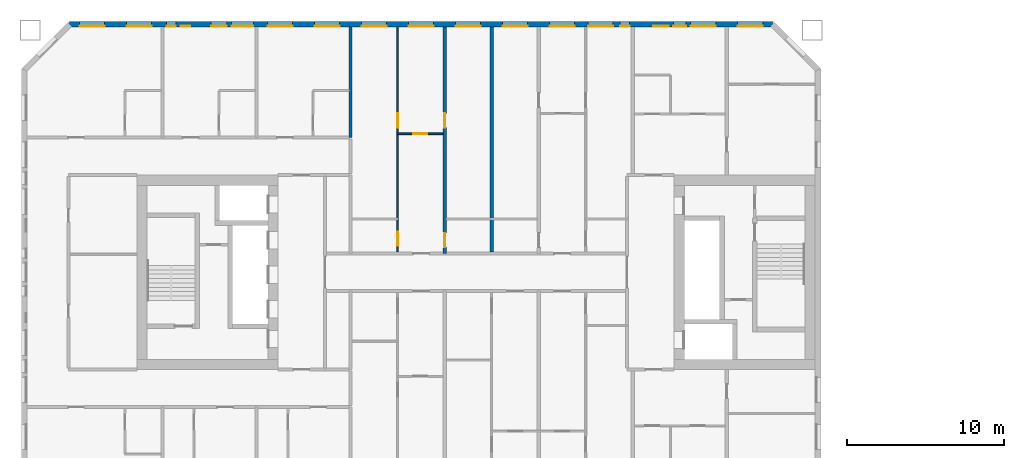
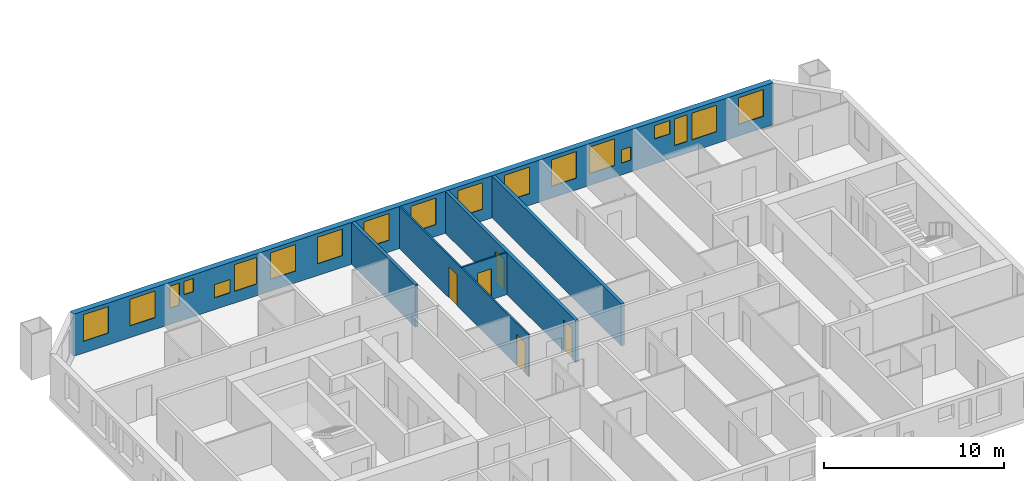
# One storey, part 6 of 17: 19 windows, 6 walls, 5 doors, 24 openings.
"""IFC4 building model written with IfcOpenShell, lengths in metres."""

from ifc_helpers import new_model, si_unit, direction, frame, frame_2d, origin, place, context, subcontext, project, spatial, rectangle, extrude, material, layer, layer_set, type_object, element, fill, save


model = new_model("IFC4")

# Units and contexts
model_context = context("Model", 3, precision=1e-05, world=origin(), true_north=direction((0.0, 1.0)))
body_context = subcontext(model_context, "Body", "Model", "MODEL_VIEW")
ifc_project = project(units=[si_unit("LENGTHUNIT", "METRE"), si_unit("AREAUNIT", "SQUARE_METRE"), si_unit("VOLUMEUNIT", "CUBIC_METRE"), si_unit("PLANEANGLEUNIT", "RADIAN"), si_unit("MASSUNIT", "GRAM", prefix="KILO")], contexts=[model_context])

# Site, building, storey
site_placement = place(None, origin())
site = spatial("IfcSite", under=ifc_project, at=site_placement, CompositionType="ELEMENT")
building_placement = place(site_placement, origin())
building = spatial("IfcBuilding", under=site, at=building_placement, Name="Tuart Gate Housing", CompositionType="ELEMENT")
storey_placement = place(building_placement, frame((0.0, 0.0, 102.60009765625)))
storey = spatial("IfcBuildingStorey", under=building, at=storey_placement, Name="L28", CompositionType="ELEMENT", Elevation=102.60009765625)

# Wall, openings, windows
ifc_material_1 = material(Name="Brick", Category="masonry")
ifc_layer_1 = layer(ifc_material_1, 0.360107421875)
ifc_layer_set_1 = layer_set([ifc_layer_1], Name="Brick pier and spandrel wall 360")
wall_type_1 = type_object("IfcWallType", Name="Brick pier and spandrel wall 360", PredefinedType="STANDARD", material=ifc_layer_set_1)
wall_1_placement = place(storey_placement, frame((72.92529296875, 85.820068359375, 0.0), z_axis=(0.0, 0.0, 1.0), x_axis=(-1.0, 0.0, 0.0)))
wall_1 = element("IfcWall", 1, at=wall_1_placement, inside=storey, type_object=wall_type_1, Name="External wall A-N L28", PredefinedType="STANDARD", context=body_context, shape_type="SweptSolid", body=[
    extrude(rectangle(XDim=44.850830078125, YDim=0.360107421875, at=frame_2d((22.42529296875, 0.0))), origin(), (0.0, 0.0, 1.0), 2.849853515625),
])
opening_1_placement = place(wall_1_placement, frame((0.62548828125, 0.0, 0.800048828125)))
opening_1 = element("IfcOpeningElement", 2, at=opening_1_placement, cuts=wall_1, Name="Opening W1", PredefinedType="OPENING", context=body_context, shape_type="SweptSolid", body=[
    extrude(rectangle(XDim=1.60009765625, YDim=1.800048828125, at=frame_2d((0.800048828125, 0.89990234375))), frame((0.0, 0.18994140625, 0.0), z_axis=(0.0, -1.0, 0.0), x_axis=(1.0, 0.0, 0.0)), (0.0, 0.0, 1.0), 0.380126953125),
])
opening_2_placement = place(wall_1_placement, frame((3.62548828125, 0.0, 0.800048828125)))
opening_2 = element("IfcOpeningElement", 3, at=opening_2_placement, cuts=wall_1, Name="Opening W1", PredefinedType="OPENING", context=body_context, shape_type="SweptSolid", body=[
    extrude(rectangle(XDim=1.60009765625, YDim=1.800048828125, at=frame_2d((0.800048828125, 0.89990234375))), frame((0.0, 0.18994140625, 0.0), z_axis=(0.0, -1.0, 0.0), x_axis=(1.0, 0.0, 0.0)), (0.0, 0.0, 1.0), 0.380126953125),
])
opening_3_placement = place(wall_1_placement, frame((5.525390625, 0.0, 0.800048828125)))
opening_3 = element("IfcOpeningElement", 4, at=opening_3_placement, cuts=wall_1, Name="Opening W1D", PredefinedType="OPENING", context=body_context, shape_type="SweptSolid", body=[
    extrude(rectangle(XDim=0.800048828125, YDim=1.800048828125, at=frame_2d((0.39990234375, 0.89990234375))), frame((0.0, 0.18994140625, 0.0), z_axis=(0.0, -1.0, 0.0), x_axis=(1.0, 0.0, 0.0)), (0.0, 0.0, 1.0), 0.380126953125),
])
opening_4_placement = place(wall_1_placement, frame((9.12548828125, 0.0, 0.800048828125)))
opening_4 = element("IfcOpeningElement", 5, at=opening_4_placement, cuts=wall_1, Name="Opening W1W", PredefinedType="OPENING", context=body_context, shape_type="SweptSolid", body=[
    extrude(rectangle(XDim=0.60009765625, YDim=0.89990234375, at=frame_2d((0.300048828125, 0.449951171875))), frame((0.0, 0.18994140625, 0.0), z_axis=(0.0, -1.0, 0.0), x_axis=(1.0, 0.0, 0.0)), (0.0, 0.0, 1.0), 0.380126953125),
])
opening_5_placement = place(wall_1_placement, frame((12.62548828125, 0.0, 0.800048828125)))
opening_5 = element("IfcOpeningElement", 6, at=opening_5_placement, cuts=wall_1, Name="Opening W1", PredefinedType="OPENING", context=body_context, shape_type="SweptSolid", body=[
    extrude(rectangle(XDim=1.60009765625, YDim=1.800048828125, at=frame_2d((0.800048828125, 0.89990234375))), frame((0.0, 0.18994140625, 0.0), z_axis=(0.0, -1.0, 0.0), x_axis=(1.0, 0.0, 0.0)), (0.0, 0.0, 1.0), 0.380126953125),
])
opening_6_placement = place(wall_1_placement, frame((15.62548828125, 0.0, 0.800048828125)))
opening_6 = element("IfcOpeningElement", 7, at=opening_6_placement, cuts=wall_1, Name="Opening W1", PredefinedType="OPENING", context=body_context, shape_type="SweptSolid", body=[
    extrude(rectangle(XDim=1.60009765625, YDim=1.800048828125, at=frame_2d((0.800048828125, 0.89990234375))), frame((0.0, 0.18994140625, 0.0), z_axis=(0.0, -1.0, 0.0), x_axis=(1.0, 0.0, 0.0)), (0.0, 0.0, 1.0), 0.380126953125),
])
opening_7_placement = place(wall_1_placement, frame((18.62548828125, 0.0, 0.800048828125)))
opening_7 = element("IfcOpeningElement", 8, at=opening_7_placement, cuts=wall_1, Name="Opening W1", PredefinedType="OPENING", context=body_context, shape_type="SweptSolid", body=[
    extrude(rectangle(XDim=1.60009765625, YDim=1.800048828125, at=frame_2d((0.800048828125, 0.89990234375))), frame((0.0, 0.18994140625, 0.0), z_axis=(0.0, -1.0, 0.0), x_axis=(1.0, 0.0, 0.0)), (0.0, 0.0, 1.0), 0.380126953125),
])
opening_8_placement = place(wall_1_placement, frame((21.62548828125, 0.0, 0.800048828125)))
opening_8 = element("IfcOpeningElement", 9, at=opening_8_placement, cuts=wall_1, Name="Opening W1", PredefinedType="OPENING", context=body_context, shape_type="SweptSolid", body=[
    extrude(rectangle(XDim=1.60009765625, YDim=1.800048828125, at=frame_2d((0.800048828125, 0.89990234375))), frame((0.0, 0.18994140625, 0.0), z_axis=(0.0, -1.0, 0.0), x_axis=(1.0, 0.0, 0.0)), (0.0, 0.0, 1.0), 0.380126953125),
])
opening_9_placement = place(wall_1_placement, frame((24.62548828125, 0.0, 0.800048828125)))
opening_9 = element("IfcOpeningElement", 10, at=opening_9_placement, cuts=wall_1, Name="Opening W1", PredefinedType="OPENING", context=body_context, shape_type="SweptSolid", body=[
    extrude(rectangle(XDim=1.60009765625, YDim=1.800048828125, at=frame_2d((0.800048828125, 0.89990234375))), frame((0.0, 0.18994140625, 0.0), z_axis=(0.0, -1.0, 0.0), x_axis=(1.0, 0.0, 0.0)), (0.0, 0.0, 1.0), 0.380126953125),
])
opening_10_placement = place(wall_1_placement, frame((27.62548828125, 0.0, 0.800048828125)))
opening_10 = element("IfcOpeningElement", 11, at=opening_10_placement, cuts=wall_1, Name="Opening W1", PredefinedType="OPENING", context=body_context, shape_type="SweptSolid", body=[
    extrude(rectangle(XDim=1.60009765625, YDim=1.800048828125, at=frame_2d((0.800048828125, 0.89990234375))), frame((0.0, 0.18994140625, 0.0), z_axis=(0.0, -1.0, 0.0), x_axis=(1.0, 0.0, 0.0)), (0.0, 0.0, 1.0), 0.380126953125),
])
opening_11_placement = place(wall_1_placement, frame((30.62548828125, 0.0, 0.800048828125)))
opening_11 = element("IfcOpeningElement", 12, at=opening_11_placement, cuts=wall_1, Name="Opening W1", PredefinedType="OPENING", context=body_context, shape_type="SweptSolid", body=[
    extrude(rectangle(XDim=1.60009765625, YDim=1.800048828125, at=frame_2d((0.800048828125, 0.89990234375))), frame((0.0, 0.18994140625, 0.0), z_axis=(0.0, -1.0, 0.0), x_axis=(1.0, 0.0, 0.0)), (0.0, 0.0, 1.0), 0.380126953125),
])
opening_12_placement = place(wall_1_placement, frame((33.12548828125, 0.0, 0.800048828125)))
opening_12 = element("IfcOpeningElement", 13, at=opening_12_placement, cuts=wall_1, Name="Opening W1A", PredefinedType="OPENING", context=body_context, shape_type="SweptSolid", body=[
    extrude(rectangle(XDim=1.39990234375, YDim=1.800048828125, at=frame_2d((0.699951171875, 0.89990234375))), frame((0.0, 0.18994140625, 0.0), z_axis=(0.0, -1.0, 0.0), x_axis=(1.0, 0.0, 0.0)), (0.0, 0.0, 1.0), 0.380126953125),
])
opening_13_placement = place(wall_1_placement, frame((34.825439453125, 0.0, 0.800048828125)))
opening_13 = element("IfcOpeningElement", 14, at=opening_13_placement, cuts=wall_1, Name="Opening W1U", PredefinedType="OPENING", context=body_context, shape_type="SweptSolid", body=[
    extrude(rectangle(XDim=1.0, YDim=0.89990234375, at=frame_2d((0.5, 0.449951171875))), frame((0.0, 0.18994140625, 0.0), z_axis=(0.0, -1.0, 0.0), x_axis=(1.0, 0.0, 0.0)), (0.0, 0.0, 1.0), 0.380126953125),
])
opening_14_placement = place(wall_1_placement, frame((39.62548828125, 0.0, 0.800048828125)))
opening_14 = element("IfcOpeningElement", 15, at=opening_14_placement, cuts=wall_1, Name="Opening W1", PredefinedType="OPENING", context=body_context, shape_type="SweptSolid", body=[
    extrude(rectangle(XDim=1.60009765625, YDim=1.800048828125, at=frame_2d((0.800048828125, 0.89990234375))), frame((0.0, 0.18994140625, 0.0), z_axis=(0.0, -1.0, 0.0), x_axis=(1.0, 0.0, 0.0)), (0.0, 0.0, 1.0), 0.380126953125),
])
opening_15_placement = place(wall_1_placement, frame((42.62548828125, 0.0, 0.800048828125)))
opening_15 = element("IfcOpeningElement", 16, at=opening_15_placement, cuts=wall_1, Name="Opening W1", PredefinedType="OPENING", context=body_context, shape_type="SweptSolid", body=[
    extrude(rectangle(XDim=1.60009765625, YDim=1.800048828125, at=frame_2d((0.800048828125, 0.89990234375))), frame((0.0, 0.18994140625, 0.0), z_axis=(0.0, -1.0, 0.0), x_axis=(1.0, 0.0, 0.0)), (0.0, 0.0, 1.0), 0.380126953125),
])
opening_16_placement = place(wall_1_placement, frame((6.62548828125, 0.0, 1.699951171875)))
opening_16 = element("IfcOpeningElement", 17, at=opening_16_placement, cuts=wall_1, Name="Opening W1U", PredefinedType="OPENING", context=body_context, shape_type="SweptSolid", body=[
    extrude(rectangle(XDim=1.0, YDim=0.89990234375, at=frame_2d((0.5, 0.449951171875))), frame((0.0, 0.18994140625, 0.0), z_axis=(0.0, -1.0, 0.0), x_axis=(1.0, 0.0, 0.0)), (0.0, 0.0, 1.0), 0.380126953125),
])
opening_17_placement = place(wall_1_placement, frame((10.17529296875, 0.0, 0.800048828125)))
opening_17 = element("IfcOpeningElement", 18, at=opening_17_placement, cuts=wall_1, Name="Opening W1", PredefinedType="OPENING", context=body_context, shape_type="SweptSolid", body=[
    extrude(rectangle(XDim=1.60009765625, YDim=1.800048828125, at=frame_2d((0.800048828125, 0.89990234375))), frame((0.0, 0.18994140625, 0.0), z_axis=(0.0, -1.0, 0.0), x_axis=(1.0, 0.0, 0.0)), (0.0, 0.0, 1.0), 0.380126953125),
])
opening_18_placement = place(wall_1_placement, frame((37.17529296875, 0.0, 1.699951171875)))
opening_18 = element("IfcOpeningElement", 19, at=opening_18_placement, cuts=wall_1, Name="Opening W1W", PredefinedType="OPENING", context=body_context, shape_type="SweptSolid", body=[
    extrude(rectangle(XDim=0.60009765625, YDim=0.89990234375, at=frame_2d((0.300048828125, 0.449951171875))), frame((0.0, 0.18994140625, 0.0), z_axis=(0.0, -1.0, 0.0), x_axis=(1.0, 0.0, 0.0)), (0.0, 0.0, 1.0), 0.380126953125),
])
opening_19_placement = place(wall_1_placement, frame((38.075439453125, 0.0, 1.10009765625)))
opening_19 = element("IfcOpeningElement", 20, at=opening_19_placement, cuts=wall_1, Name="Opening W1K", PredefinedType="OPENING", context=body_context, shape_type="SweptSolid", body=[
    extrude(rectangle(XDim=0.60009765625, YDim=1.5, at=frame_2d((0.300048828125, 0.75))), frame((0.0, 0.18994140625, 0.0), z_axis=(0.0, -1.0, 0.0), x_axis=(1.0, 0.0, 0.0)), (0.0, 0.0, 1.0), 0.380126953125),
])
ifc_material_2 = material(Name="Aluminium frame with clear glass", Category="aluminium")
window_type_1 = type_object("IfcWindowType", Name="Punched window 1000 x 900", PartitioningType="SINGLE_PANEL", PredefinedType="WINDOW", material=ifc_material_2)
window_1_placement = place(opening_13_placement, origin())
window_1 = element("IfcWindow", 21, at=window_1_placement, inside=storey, type_object=window_type_1, Name="Window W1U", OverallHeight=0.89990234375, OverallWidth=1.0, PartitioningType="SINGLE_PANEL", PredefinedType="WINDOW", context=body_context, shape_type="SweptSolid", body=[
    extrude(rectangle(XDim=1.0, YDim=0.89990234375, at=frame_2d((0.5, 0.449951171875))), frame((0.0, 0.150146484375, 0.0), z_axis=(0.0, -1.0, 0.0), x_axis=(1.0, 0.0, 0.0)), (0.0, 0.0, 1.0), 0.06005859375),
])
fill(opening_13, window_1)
window_2_placement = place(opening_16_placement, origin())
window_2 = element("IfcWindow", 22, at=window_2_placement, inside=storey, type_object=window_type_1, Name="Window W1U", OverallHeight=0.89990234375, OverallWidth=1.0, PartitioningType="SINGLE_PANEL", PredefinedType="WINDOW", context=body_context, shape_type="SweptSolid", body=[
    extrude(rectangle(XDim=1.0, YDim=0.89990234375, at=frame_2d((0.5, 0.449951171875))), frame((0.0, 0.150146484375, 0.0), z_axis=(0.0, -1.0, 0.0), x_axis=(1.0, 0.0, 0.0)), (0.0, 0.0, 1.0), 0.06005859375),
])
fill(opening_16, window_2)
ifc_material_3 = material(Name="Aluminium frame with clear glass", Category="aluminium")
window_type_2 = type_object("IfcWindowType", Name="Punched window 1400 x 1800", PartitioningType="SINGLE_PANEL", PredefinedType="WINDOW", material=ifc_material_3)
window_3_placement = place(opening_12_placement, origin())
window_3 = element("IfcWindow", 23, at=window_3_placement, inside=storey, type_object=window_type_2, Name="Window W1A", OverallHeight=1.800048828125, OverallWidth=1.39990234375, PartitioningType="SINGLE_PANEL", PredefinedType="WINDOW", context=body_context, shape_type="SweptSolid", body=[
    extrude(rectangle(XDim=1.39990234375, YDim=1.800048828125, at=frame_2d((0.699951171875, 0.89990234375))), frame((0.0, 0.150146484375, 0.0), z_axis=(0.0, -1.0, 0.0), x_axis=(1.0, 0.0, 0.0)), (0.0, 0.0, 1.0), 0.06005859375),
])
fill(opening_12, window_3)
ifc_material_4 = material(Name="Aluminium frame with clear glass", Category="aluminium")
window_type_3 = type_object("IfcWindowType", Name="Punched window 1600 x 1800", PartitioningType="SINGLE_PANEL", PredefinedType="WINDOW", material=ifc_material_4)
window_4_placement = place(opening_1_placement, origin())
window_4 = element("IfcWindow", 24, at=window_4_placement, inside=storey, type_object=window_type_3, Name="Window W1", OverallHeight=1.800048828125, OverallWidth=1.60009765625, PartitioningType="SINGLE_PANEL", PredefinedType="WINDOW", context=body_context, shape_type="SweptSolid", body=[
    extrude(rectangle(XDim=1.60009765625, YDim=1.800048828125, at=frame_2d((0.800048828125, 0.89990234375))), frame((0.0, 0.150146484375, 0.0), z_axis=(0.0, -1.0, 0.0), x_axis=(1.0, 0.0, 0.0)), (0.0, 0.0, 1.0), 0.06005859375),
])
fill(opening_1, window_4)
window_5_placement = place(opening_2_placement, origin())
window_5 = element("IfcWindow", 25, at=window_5_placement, inside=storey, type_object=window_type_3, Name="Window W1", OverallHeight=1.800048828125, OverallWidth=1.60009765625, PartitioningType="SINGLE_PANEL", PredefinedType="WINDOW", context=body_context, shape_type="SweptSolid", body=[
    extrude(rectangle(XDim=1.60009765625, YDim=1.800048828125, at=frame_2d((0.800048828125, 0.89990234375))), frame((0.0, 0.150146484375, 0.0), z_axis=(0.0, -1.0, 0.0), x_axis=(1.0, 0.0, 0.0)), (0.0, 0.0, 1.0), 0.06005859375),
])
fill(opening_2, window_5)
window_6_placement = place(opening_5_placement, origin())
window_6 = element("IfcWindow", 26, at=window_6_placement, inside=storey, type_object=window_type_3, Name="Window W1", OverallHeight=1.800048828125, OverallWidth=1.60009765625, PartitioningType="SINGLE_PANEL", PredefinedType="WINDOW", context=body_context, shape_type="SweptSolid", body=[
    extrude(rectangle(XDim=1.60009765625, YDim=1.800048828125, at=frame_2d((0.800048828125, 0.89990234375))), frame((0.0, 0.150146484375, 0.0), z_axis=(0.0, -1.0, 0.0), x_axis=(1.0, 0.0, 0.0)), (0.0, 0.0, 1.0), 0.06005859375),
])
fill(opening_5, window_6)
window_7_placement = place(opening_6_placement, origin())
window_7 = element("IfcWindow", 27, at=window_7_placement, inside=storey, type_object=window_type_3, Name="Window W1", OverallHeight=1.800048828125, OverallWidth=1.60009765625, PartitioningType="SINGLE_PANEL", PredefinedType="WINDOW", context=body_context, shape_type="SweptSolid", body=[
    extrude(rectangle(XDim=1.60009765625, YDim=1.800048828125, at=frame_2d((0.800048828125, 0.89990234375))), frame((0.0, 0.150146484375, 0.0), z_axis=(0.0, -1.0, 0.0), x_axis=(1.0, 0.0, 0.0)), (0.0, 0.0, 1.0), 0.06005859375),
])
fill(opening_6, window_7)
window_8_placement = place(opening_7_placement, origin())
window_8 = element("IfcWindow", 28, at=window_8_placement, inside=storey, type_object=window_type_3, Name="Window W1", OverallHeight=1.800048828125, OverallWidth=1.60009765625, PartitioningType="SINGLE_PANEL", PredefinedType="WINDOW", context=body_context, shape_type="SweptSolid", body=[
    extrude(rectangle(XDim=1.60009765625, YDim=1.800048828125, at=frame_2d((0.800048828125, 0.89990234375))), frame((0.0, 0.150146484375, 0.0), z_axis=(0.0, -1.0, 0.0), x_axis=(1.0, 0.0, 0.0)), (0.0, 0.0, 1.0), 0.06005859375),
])
fill(opening_7, window_8)
window_9_placement = place(opening_8_placement, origin())
window_9 = element("IfcWindow", 29, at=window_9_placement, inside=storey, type_object=window_type_3, Name="Window W1", OverallHeight=1.800048828125, OverallWidth=1.60009765625, PartitioningType="SINGLE_PANEL", PredefinedType="WINDOW", context=body_context, shape_type="SweptSolid", body=[
    extrude(rectangle(XDim=1.60009765625, YDim=1.800048828125, at=frame_2d((0.800048828125, 0.89990234375))), frame((0.0, 0.150146484375, 0.0), z_axis=(0.0, -1.0, 0.0), x_axis=(1.0, 0.0, 0.0)), (0.0, 0.0, 1.0), 0.06005859375),
])
fill(opening_8, window_9)
window_10_placement = place(opening_9_placement, origin())
window_10 = element("IfcWindow", 30, at=window_10_placement, inside=storey, type_object=window_type_3, Name="Window W1", OverallHeight=1.800048828125, OverallWidth=1.60009765625, PartitioningType="SINGLE_PANEL", PredefinedType="WINDOW", context=body_context, shape_type="SweptSolid", body=[
    extrude(rectangle(XDim=1.60009765625, YDim=1.800048828125, at=frame_2d((0.800048828125, 0.89990234375))), frame((0.0, 0.150146484375, 0.0), z_axis=(0.0, -1.0, 0.0), x_axis=(1.0, 0.0, 0.0)), (0.0, 0.0, 1.0), 0.06005859375),
])
fill(opening_9, window_10)
window_11_placement = place(opening_10_placement, origin())
window_11 = element("IfcWindow", 31, at=window_11_placement, inside=storey, type_object=window_type_3, Name="Window W1", OverallHeight=1.800048828125, OverallWidth=1.60009765625, PartitioningType="SINGLE_PANEL", PredefinedType="WINDOW", context=body_context, shape_type="SweptSolid", body=[
    extrude(rectangle(XDim=1.60009765625, YDim=1.800048828125, at=frame_2d((0.800048828125, 0.89990234375))), frame((0.0, 0.150146484375, 0.0), z_axis=(0.0, -1.0, 0.0), x_axis=(1.0, 0.0, 0.0)), (0.0, 0.0, 1.0), 0.06005859375),
])
fill(opening_10, window_11)
window_12_placement = place(opening_11_placement, origin())
window_12 = element("IfcWindow", 32, at=window_12_placement, inside=storey, type_object=window_type_3, Name="Window W1", OverallHeight=1.800048828125, OverallWidth=1.60009765625, PartitioningType="SINGLE_PANEL", PredefinedType="WINDOW", context=body_context, shape_type="SweptSolid", body=[
    extrude(rectangle(XDim=1.60009765625, YDim=1.800048828125, at=frame_2d((0.800048828125, 0.89990234375))), frame((0.0, 0.150146484375, 0.0), z_axis=(0.0, -1.0, 0.0), x_axis=(1.0, 0.0, 0.0)), (0.0, 0.0, 1.0), 0.06005859375),
])
fill(opening_11, window_12)
window_13_placement = place(opening_14_placement, origin())
window_13 = element("IfcWindow", 33, at=window_13_placement, inside=storey, type_object=window_type_3, Name="Window W1", OverallHeight=1.800048828125, OverallWidth=1.60009765625, PartitioningType="SINGLE_PANEL", PredefinedType="WINDOW", context=body_context, shape_type="SweptSolid", body=[
    extrude(rectangle(XDim=1.60009765625, YDim=1.800048828125, at=frame_2d((0.800048828125, 0.89990234375))), frame((0.0, 0.150146484375, 0.0), z_axis=(0.0, -1.0, 0.0), x_axis=(1.0, 0.0, 0.0)), (0.0, 0.0, 1.0), 0.06005859375),
])
fill(opening_14, window_13)
window_14_placement = place(opening_15_placement, origin())
window_14 = element("IfcWindow", 34, at=window_14_placement, inside=storey, type_object=window_type_3, Name="Window W1", OverallHeight=1.800048828125, OverallWidth=1.60009765625, PartitioningType="SINGLE_PANEL", PredefinedType="WINDOW", context=body_context, shape_type="SweptSolid", body=[
    extrude(rectangle(XDim=1.60009765625, YDim=1.800048828125, at=frame_2d((0.800048828125, 0.89990234375))), frame((0.0, 0.150146484375, 0.0), z_axis=(0.0, -1.0, 0.0), x_axis=(1.0, 0.0, 0.0)), (0.0, 0.0, 1.0), 0.06005859375),
])
fill(opening_15, window_14)
window_15_placement = place(opening_17_placement, origin())
window_15 = element("IfcWindow", 35, at=window_15_placement, inside=storey, type_object=window_type_3, Name="Window W1", OverallHeight=1.800048828125, OverallWidth=1.60009765625, PartitioningType="SINGLE_PANEL", PredefinedType="WINDOW", context=body_context, shape_type="SweptSolid", body=[
    extrude(rectangle(XDim=1.60009765625, YDim=1.800048828125, at=frame_2d((0.800048828125, 0.89990234375))), frame((0.0, 0.150146484375, 0.0), z_axis=(0.0, -1.0, 0.0), x_axis=(1.0, 0.0, 0.0)), (0.0, 0.0, 1.0), 0.06005859375),
])
fill(opening_17, window_15)
ifc_material_5 = material(Name="Aluminium frame with clear glass", Category="aluminium")
window_type_4 = type_object("IfcWindowType", Name="Punched window 600 x 1500", PartitioningType="SINGLE_PANEL", PredefinedType="WINDOW", material=ifc_material_5)
window_16_placement = place(opening_19_placement, origin())
window_16 = element("IfcWindow", 36, at=window_16_placement, inside=storey, type_object=window_type_4, Name="Window W1K", OverallHeight=1.5, OverallWidth=0.60009765625, PartitioningType="SINGLE_PANEL", PredefinedType="WINDOW", context=body_context, shape_type="SweptSolid", body=[
    extrude(rectangle(XDim=0.60009765625, YDim=1.5, at=frame_2d((0.300048828125, 0.75))), frame((0.0, 0.150146484375, 0.0), z_axis=(0.0, -1.0, 0.0), x_axis=(1.0, 0.0, 0.0)), (0.0, 0.0, 1.0), 0.06005859375),
])
fill(opening_19, window_16)
ifc_material_6 = material(Name="Aluminium frame with clear glass", Category="aluminium")
window_type_5 = type_object("IfcWindowType", Name="Punched window 600 x 900", PartitioningType="SINGLE_PANEL", PredefinedType="WINDOW", material=ifc_material_6)
window_17_placement = place(opening_4_placement, origin())
window_17 = element("IfcWindow", 37, at=window_17_placement, inside=storey, type_object=window_type_5, Name="Window W1W", OverallHeight=0.89990234375, OverallWidth=0.60009765625, PartitioningType="SINGLE_PANEL", PredefinedType="WINDOW", context=body_context, shape_type="SweptSolid", body=[
    extrude(rectangle(XDim=0.60009765625, YDim=0.89990234375, at=frame_2d((0.300048828125, 0.449951171875))), frame((0.0, 0.150146484375, 0.0), z_axis=(0.0, -1.0, 0.0), x_axis=(1.0, 0.0, 0.0)), (0.0, 0.0, 1.0), 0.06005859375),
])
fill(opening_4, window_17)
window_18_placement = place(opening_18_placement, origin())
window_18 = element("IfcWindow", 38, at=window_18_placement, inside=storey, type_object=window_type_5, Name="Window W1W", OverallHeight=0.89990234375, OverallWidth=0.60009765625, PartitioningType="SINGLE_PANEL", PredefinedType="WINDOW", context=body_context, shape_type="SweptSolid", body=[
    extrude(rectangle(XDim=0.60009765625, YDim=0.89990234375, at=frame_2d((0.300048828125, 0.449951171875))), frame((0.0, 0.150146484375, 0.0), z_axis=(0.0, -1.0, 0.0), x_axis=(1.0, 0.0, 0.0)), (0.0, 0.0, 1.0), 0.06005859375),
])
fill(opening_18, window_18)
ifc_material_7 = material(Name="Aluminium frame with clear glass", Category="aluminium")
window_type_6 = type_object("IfcWindowType", Name="Punched window 800 x 1800", PartitioningType="SINGLE_PANEL", PredefinedType="WINDOW", material=ifc_material_7)
window_19_placement = place(opening_3_placement, origin())
window_19 = element("IfcWindow", 39, at=window_19_placement, inside=storey, type_object=window_type_6, Name="Window W1D", OverallHeight=1.800048828125, OverallWidth=0.800048828125, PartitioningType="SINGLE_PANEL", PredefinedType="WINDOW", context=body_context, shape_type="SweptSolid", body=[
    extrude(rectangle(XDim=0.800048828125, YDim=1.800048828125, at=frame_2d((0.39990234375, 0.89990234375))), frame((0.0, 0.150146484375, 0.0), z_axis=(0.0, -1.0, 0.0), x_axis=(1.0, 0.0, 0.0)), (0.0, 0.0, 1.0), 0.06005859375),
])
fill(opening_3, window_19)

# Wall, opening, door
ifc_material_8 = material(Name="Gypsum board on steel studs", Category="steel")
ifc_layer_2 = layer(ifc_material_8, 0.10009765625)
ifc_layer_set_2 = layer_set([ifc_layer_2], Name="Partition 100")
wall_type_2 = type_object("IfcWallType", Name="Partition 100", PredefinedType="PARTITIONING", material=ifc_layer_set_2)
wall_2_placement = place(storey_placement, frame((49.0, 78.840087890625, 0.0), z_axis=(0.0, 0.0, 1.0), x_axis=(1.0, 0.0, 0.0)))
wall_2 = element("IfcWall", 40, at=wall_2_placement, inside=storey, type_object=wall_type_2, Name="Partition 100", PredefinedType="PARTITIONING", context=body_context, shape_type="SweptSolid", body=[
    extrude(rectangle(XDim=2.89990234375, YDim=0.10009765625, at=frame_2d((1.449951171875, 0.0))), origin(), (0.0, 0.0, 1.0), 2.849853515625),
])
opening_20_placement = place(wall_2_placement, frame((1.0, 0.0, 0.0)))
opening_20 = element("IfcOpeningElement", 41, at=opening_20_placement, cuts=wall_2, Name="Opening D1074", PredefinedType="OPENING", context=body_context, shape_type="SweptSolid", body=[
    extrude(rectangle(XDim=0.89990234375, YDim=2.10009765625, at=frame_2d((0.449951171875, 1.050048828125))), frame((0.0, 0.06005859375, 0.0), z_axis=(0.0, -1.0, 0.0), x_axis=(1.0, 0.0, 0.0)), (0.0, 0.0, 1.0), 0.1201171875),
])
ifc_material_9 = material(Name="Timber door leaf in steel frame", Category="steel")
door_type_1 = type_object("IfcDoorType", Name="Internal door 900 RH", OperationType="SINGLE_SWING_RIGHT", PredefinedType="DOOR", material=ifc_material_9)
door_1_placement = place(opening_20_placement, frame((0.89990234375, 0.0, 0.0), z_axis=(0.0, 0.0, 1.0), x_axis=(-1.0, 0.0, 0.0)))
door_1 = element("IfcDoor", 42, at=door_1_placement, inside=storey, type_object=door_type_1, Name="Internal door", OperationType="SINGLE_SWING_RIGHT", OverallHeight=2.10009765625, OverallWidth=0.89990234375, PredefinedType="DOOR", context=body_context, shape_type="SweptSolid", body=[
    extrude(rectangle(XDim=0.89990234375, YDim=2.10009765625, at=frame_2d((0.449951171875, 1.050048828125))), frame((0.0, 0.025146484375, 0.0), z_axis=(0.0, -1.0, 0.0), x_axis=(1.0, 0.0, 0.0)), (0.0, 0.0, 1.0), 0.050048828125),
])
fill(opening_20, door_1)

# Wall, openings, doors
wall_3_placement = place(storey_placement, frame((49.0, 71.300048828125, 0.0), z_axis=(0.0, 0.0, 1.0), x_axis=(0.0, 1.0, 0.0)))
wall_3 = element("IfcWall", 43, at=wall_3_placement, inside=storey, type_object=wall_type_2, Name="Partition 100", PredefinedType="PARTITIONING", context=body_context, shape_type="SweptSolid", body=[
    extrude(rectangle(XDim=14.33984375, YDim=0.10009765625, at=frame_2d((7.169921875, 0.0))), origin(), (0.0, 0.0, 1.0), 2.849853515625),
])
opening_21_placement = place(wall_3_placement, frame((7.93994140625, 0.0, 0.0)))
opening_21 = element("IfcOpeningElement", 44, at=opening_21_placement, cuts=wall_3, Name="Opening D1079", PredefinedType="OPENING", context=body_context, shape_type="SweptSolid", body=[
    extrude(rectangle(XDim=0.89990234375, YDim=2.10009765625, at=frame_2d((0.449951171875, 1.050048828125))), frame((0.0, 0.06005859375, 0.0), z_axis=(0.0, -1.0, 0.0), x_axis=(1.0, 0.0, 0.0)), (0.0, 0.0, 1.0), 0.1201171875),
])
opening_22_placement = place(wall_3_placement, frame((0.39990234375, 0.0, 0.0)))
opening_22 = element("IfcOpeningElement", 45, at=opening_22_placement, cuts=wall_3, Name="Opening D1078", PredefinedType="OPENING", context=body_context, shape_type="SweptSolid", body=[
    extrude(rectangle(XDim=0.89990234375, YDim=2.10009765625, at=frame_2d((0.449951171875, 1.050048828125))), frame((0.0, 0.06005859375, 0.0), z_axis=(0.0, -1.0, 0.0), x_axis=(1.0, 0.0, 0.0)), (0.0, 0.0, 1.0), 0.1201171875),
])
ifc_material_10 = material(Name="Timber door leaf in steel frame", Category="steel")
door_type_2 = type_object("IfcDoorType", Name="Bathroom door 900", OperationType="SINGLE_SWING_LEFT", PredefinedType="DOOR", material=ifc_material_10)
door_2_placement = place(opening_22_placement, origin())
door_2 = element("IfcDoor", 46, at=door_2_placement, inside=storey, type_object=door_type_2, Name="Bathroom door", OperationType="SINGLE_SWING_LEFT", OverallHeight=2.10009765625, OverallWidth=0.89990234375, PredefinedType="DOOR", context=body_context, shape_type="SweptSolid", body=[
    extrude(rectangle(XDim=0.89990234375, YDim=2.10009765625, at=frame_2d((0.449951171875, 1.050048828125))), frame((0.0, 0.02490234375, 0.0), z_axis=(0.0, -1.0, 0.0), x_axis=(1.0, 0.0, 0.0)), (0.0, 0.0, 1.0), 0.050048828125),
])
fill(opening_22, door_2)
door_3_placement = place(opening_21_placement, origin())
door_3 = element("IfcDoor", 47, at=door_3_placement, inside=storey, type_object=door_type_1, Name="Internal door", OperationType="SINGLE_SWING_RIGHT", OverallHeight=2.10009765625, OverallWidth=0.89990234375, PredefinedType="DOOR", context=body_context, shape_type="SweptSolid", body=[
    extrude(rectangle(XDim=0.89990234375, YDim=2.10009765625, at=frame_2d((0.449951171875, 1.050048828125))), frame((0.0, 0.02490234375, 0.0), z_axis=(0.0, -1.0, 0.0), x_axis=(1.0, 0.0, 0.0)), (0.0, 0.0, 1.0), 0.050048828125),
])
fill(opening_21, door_3)

# Wall
ifc_material_11 = material(Name="Concrete C40", Category="concrete")
ifc_layer_3 = layer(ifc_material_11, 0.199951171875)
ifc_layer_set_3 = layer_set([ifc_layer_3], Name="Party wall concrete C40 200")
wall_type_3 = type_object("IfcWallType", Name="Party wall concrete C40 200", PredefinedType="SOLIDWALL", material=ifc_layer_set_3)
wall_4_placement = place(storey_placement, frame((46.0, 78.60009765625, 0.0), z_axis=(0.0, 0.0, 1.0), x_axis=(0.0, 1.0, 0.0)))
element("IfcWall", 48, at=wall_4_placement, inside=storey, type_object=wall_type_3, Name="Party wall concrete C40 200", PredefinedType="SOLIDWALL", context=body_context, shape_type="SweptSolid", body=[
    extrude(rectangle(XDim=7.039794921875, YDim=0.199951171875, at=frame_2d((3.52001953125, 0.0))), origin(), (0.0, 0.0, 1.0), 2.849853515625),
])

# Wall, openings, doors
wall_5_placement = place(storey_placement, frame((52.0, 71.199951171875, 0.0), z_axis=(0.0, 0.0, 1.0), x_axis=(0.0, 1.0, 0.0)))
wall_5 = element("IfcWall", 49, at=wall_5_placement, inside=storey, type_object=wall_type_3, Name="Party wall concrete C40 200", PredefinedType="SOLIDWALL", context=body_context, shape_type="SweptSolid", body=[
    extrude(rectangle(XDim=14.43994140625, YDim=0.199951171875, at=frame_2d((7.219970703125, 0.0))), origin(), (0.0, 0.0, 1.0), 2.849853515625),
])
opening_23_placement = place(wall_5_placement, frame((8.0400390625, 0.0, 0.0)))
opening_23 = element("IfcOpeningElement", 50, at=opening_23_placement, cuts=wall_5, Name="Opening D1083", PredefinedType="OPENING", context=body_context, shape_type="SweptSolid", body=[
    extrude(rectangle(XDim=0.89990234375, YDim=2.10009765625, at=frame_2d((0.449951171875, 1.050048828125))), frame((0.0, 0.10986328125, 0.0), z_axis=(0.0, -1.0, 0.0), x_axis=(1.0, 0.0, 0.0)), (0.0, 0.0, 1.0), 0.219970703125),
])
opening_24_placement = place(wall_5_placement, frame((0.39990234375, 0.0, 0.0)))
opening_24 = element("IfcOpeningElement", 51, at=opening_24_placement, cuts=wall_5, Name="Opening D1082", PredefinedType="OPENING", context=body_context, shape_type="SweptSolid", body=[
    extrude(rectangle(XDim=0.89990234375, YDim=2.10009765625, at=frame_2d((0.449951171875, 1.050048828125))), frame((0.0, 0.10986328125, 0.0), z_axis=(0.0, -1.0, 0.0), x_axis=(1.0, 0.0, 0.0)), (0.0, 0.0, 1.0), 0.219970703125),
])
ifc_material_12 = material(Name="Timber door leaf in steel frame", Category="steel")
door_type_3 = type_object("IfcDoorType", Name="Bathroom door 900 RH", OperationType="SINGLE_SWING_RIGHT", PredefinedType="DOOR", material=ifc_material_12)
door_4_placement = place(opening_24_placement, frame((0.89990234375, 0.0, 0.0), z_axis=(0.0, 0.0, 1.0), x_axis=(-1.0, 0.0, 0.0)))
door_4 = element("IfcDoor", 52, at=door_4_placement, inside=storey, type_object=door_type_3, Name="Bathroom door", OperationType="SINGLE_SWING_RIGHT", OverallHeight=2.10009765625, OverallWidth=0.89990234375, PredefinedType="DOOR", context=body_context, shape_type="SweptSolid", body=[
    extrude(rectangle(XDim=0.89990234375, YDim=2.10009765625, at=frame_2d((0.449951171875, 1.050048828125))), frame((0.0, 0.025146484375, 0.0), z_axis=(0.0, -1.0, 0.0), x_axis=(1.0, 0.0, 0.0)), (0.0, 0.0, 1.0), 0.050048828125),
])
fill(opening_24, door_4)
ifc_material_13 = material(Name="Timber door leaf in steel frame", Category="steel")
door_type_4 = type_object("IfcDoorType", Name="Internal door 900", OperationType="SINGLE_SWING_LEFT", PredefinedType="DOOR", material=ifc_material_13)
door_5_placement = place(opening_23_placement, frame((0.89990234375, 0.0, 0.0), z_axis=(0.0, 0.0, 1.0), x_axis=(-1.0, 0.0, 0.0)))
door_5 = element("IfcDoor", 53, at=door_5_placement, inside=storey, type_object=door_type_4, Name="Internal door", OperationType="SINGLE_SWING_LEFT", OverallHeight=2.10009765625, OverallWidth=0.89990234375, PredefinedType="DOOR", context=body_context, shape_type="SweptSolid", body=[
    extrude(rectangle(XDim=0.89990234375, YDim=2.10009765625, at=frame_2d((0.449951171875, 1.050048828125))), frame((0.0, 0.025146484375, 0.0), z_axis=(0.0, -1.0, 0.0), x_axis=(1.0, 0.0, 0.0)), (0.0, 0.0, 1.0), 0.050048828125),
])
fill(opening_23, door_5)

# Wall
ifc_material_14 = material(Name="Concrete masonry 15 MPa", Category="masonry")
ifc_layer_4 = layer(ifc_material_14, 0.199951171875)
ifc_layer_set_4 = layer_set([ifc_layer_4], Name="Party wall masonry 200")
wall_type_4 = type_object("IfcWallType", Name="Party wall masonry 200", PredefinedType="PARTITIONING", material=ifc_layer_set_4)
wall_6_placement = place(storey_placement, frame((55.0, 71.300048828125, 0.0), z_axis=(0.0, 0.0, 1.0), x_axis=(0.0, 1.0, 0.0)))
element("IfcWall", 54, at=wall_6_placement, inside=storey, type_object=wall_type_4, Name="Party wall masonry 200", PredefinedType="PARTITIONING", context=body_context, shape_type="SweptSolid", body=[
    extrude(rectangle(XDim=14.33984375, YDim=0.199951171875, at=frame_2d((7.169921875, 0.0))), origin(), (0.0, 0.0, 1.0), 2.849853515625),
])

save(model, "model.ifc")
